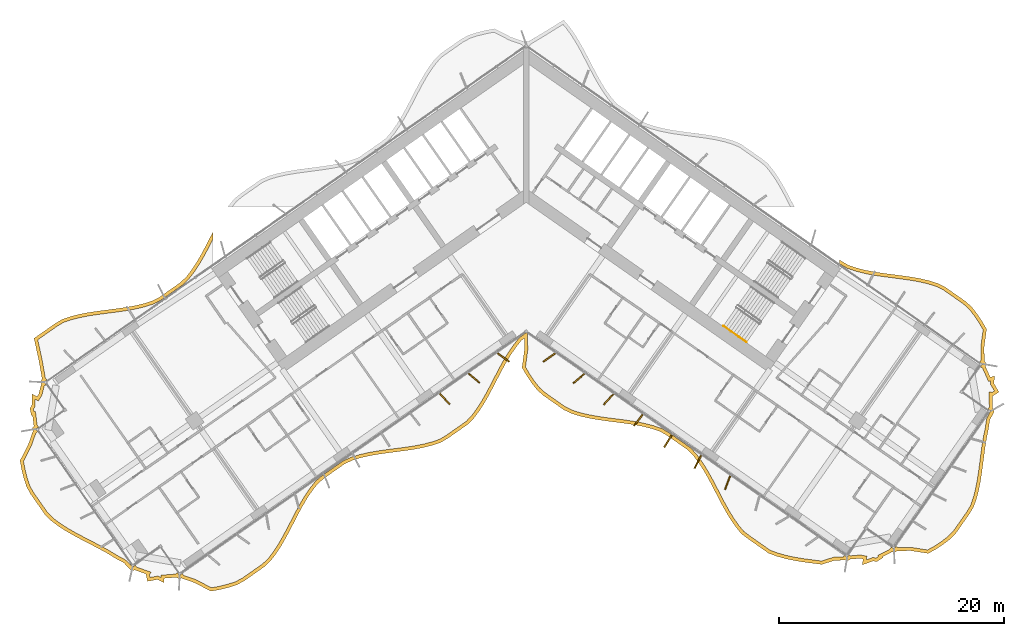
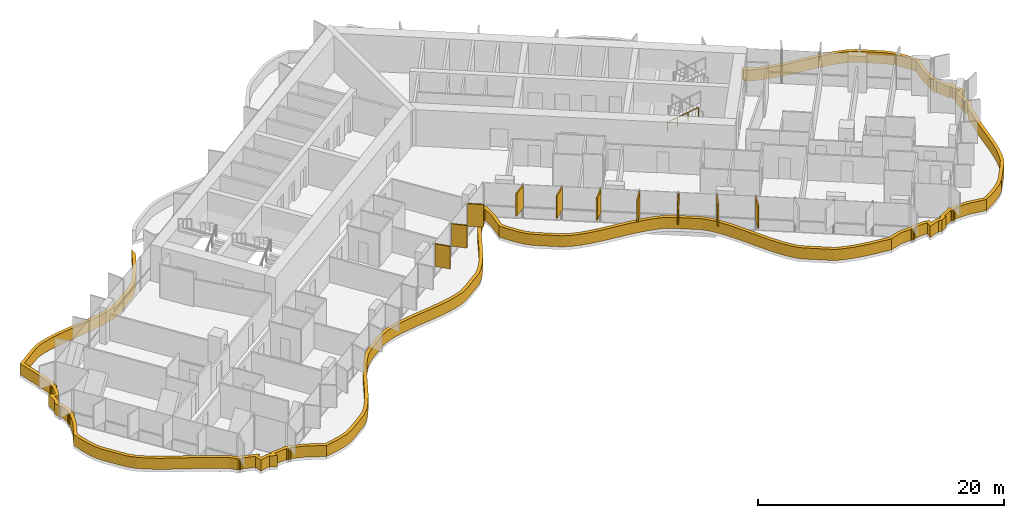
# One storey, part 20 of 23: 11 shading devices, 1 railing.
"""IFC4 building model written with IfcOpenShell, lengths in metres."""

from ifc_helpers import new_model, si_unit, direction, frame, origin, origin_2d, place, context, subcontext, project, spatial, polyline, rectangle, circle, outline, extrude, material, layer, layer_set, type_object, element, save


model = new_model("IFC4")

# Units and contexts
model_context = context("Model", 3, precision=1e-05, world=origin(), true_north=direction((0.0, 1.0)))
body_context = subcontext(model_context, "Body", "Model", "MODEL_VIEW")
ifc_project = project(units=[si_unit("LENGTHUNIT", "METRE"), si_unit("AREAUNIT", "SQUARE_METRE"), si_unit("VOLUMEUNIT", "CUBIC_METRE"), si_unit("PLANEANGLEUNIT", "RADIAN"), si_unit("MASSUNIT", "GRAM", prefix="KILO")], contexts=[model_context])

# Site, building, storey
site_placement = place(None, origin())
site = spatial("IfcSite", under=ifc_project, at=site_placement, CompositionType="ELEMENT")
building_placement = place(site_placement, origin())
building = spatial("IfcBuilding", under=site, at=building_placement, Name="Tel Ilan Convention Tower", CompositionType="ELEMENT")
storey_placement = place(building_placement, frame((0.0, 0.0, 94.10009765625)))
storey = spatial("IfcBuildingStorey", under=building, at=storey_placement, Name="L19", CompositionType="ELEMENT", Elevation=94.10009765625)

# Shading devices
ifc_material_1 = material(Name="Aluminium, bronze anodised", Category="aluminium")
ifc_layer_1 = layer(ifc_material_1, 0.1201171875)
ifc_layer_set_1 = layer_set([ifc_layer_1], Name="FIN BRONZE 1300x120")
shading_device_type_1 = type_object("IfcShadingDeviceType", Name="FIN BRONZE 1300x120", PredefinedType="USERDEFINED", material=ifc_layer_set_1)
for number, where, z_axis, x_axis, name in (
    (1, (-7.259033203125, -18.696044921875, 1.10009765625), (0.0, 0.0, 1.0), (0.686241637865, -0.727373641577, 0.0), "FIN"),
    (2, (-4.64208984375, -16.85595703125, 1.10009765625), (0.0, 0.0, 1.0), (0.753435896329, -0.657521368568, 0.0), "FIN"),
    (3, (-2.030029296875, -15.011474609375, 1.10009765625), (0.0, 0.0, 1.0), (0.813552070258, -0.581492071294, 0.0), "FIN"),
    (4, (2.05517578125, -15.029052734375, 1.10009765625), (0.0, 0.0, 1.0), (-0.813552070258, -0.581492071294, 0.0), "FIN"),
    (5, (4.6923828125, -16.89111328125, 1.10009765625), (0.0, 0.0, 1.0), (-0.753435896329, -0.657521368568, 0.0), "FIN"),
    (6, (7.33447265625, -18.748779296875, 1.10009765625), (0.0, 0.0, 1.0), (-0.686241637865, -0.727373641577, 0.0), "FIN"),
    (7, (9.980712890625, -20.602294921875, 1.10009765625), (0.0, 0.0, 1.0), (-0.612600545196, -0.790392669516, 0.0), "FIN"),
    (8, (12.62744140625, -22.455322265625, 1.10009765625), (0.0, 0.0, 1.0), (-0.533204432798, -0.845986425922, 0.0), "FIN"),
    (9, (15.27392578125, -24.30810546875, 1.10009765625), (0.0, 0.0, 1.0), (-0.448799180206, -0.893632640321, 0.0), "FIN"),
    (10, (17.92333984375, -26.155517578125, 1.10009765625), (0.0, 0.0, 1.0), (-0.360177724803, -0.932883704733, 0.0), "FIN"),
):
    element("IfcShadingDevice", number, at=place(storey_placement, frame(where, z_axis=z_axis, x_axis=x_axis)), inside=storey, type_object=shading_device_type_1, Name=name, ObjectType="FIN", PredefinedType="USERDEFINED", context=body_context, shape_type="SweptSolid", body=[
        extrude(rectangle(XDim=1.300048828125, YDim=0.1201171875, at=origin_2d()), origin(), (0.0, 0.0, 1.0), 2.219970703125),
    ])
ifc_material_2 = material(Name="Aluminium, bronze anodised", Category="aluminium")
ifc_layer_2 = layer(ifc_material_2, 0.300048828125)
ifc_layer_set_2 = layer_set([ifc_layer_2], Name="LOUVRE BAND 300x1100")
shading_device_type_2 = type_object("IfcShadingDeviceType", Name="LOUVRE BAND 300x1100", PredefinedType="USERDEFINED", material=ifc_layer_set_2)
shading_device_placement = place(storey_placement, origin())
element("IfcShadingDevice", 11, at=shading_device_placement, inside=storey, type_object=shading_device_type_2, Name="LOUVRE BAND 17.01", ObjectType="LOUVRE", PredefinedType="USERDEFINED", context=body_context, shape_type="SweptSolid", body=[
    extrude(outline(polyline([(-44.2939453125, -22.77490234375), (-45.028564453125, -24.204833984375), (-44.876953125, -25.01416015625), (-44.68408203125, -25.794677734375), (-44.4384765625, -26.538330078125), (-44.07080078125, -27.196533203125), (-42.7802734375, -29.03955078125), (-42.232421875, -29.571533203125), (-41.598876953125, -30.04345703125), (-40.91650390625, -30.481201171875), (-40.196533203125, -30.892822265625), (-39.45263671875, -31.287353515625), (-37.949462890625, -32.066162109375), (-37.219970703125, -32.470947265625), (-36.523681640625, -32.89892578125), (-35.783203125, -33.2958984375), (-35.26318359375, -33.847412109375), (-35.258544921875, -33.843994140625), (-35.2294921875, -33.887451171875), (-35.13232421875, -33.952392578125), (-35.017578125, -33.975341796875), (-34.902587890625, -33.952392578125), (-34.8486328125, -33.91650390625), (-33.810546875, -34.284912109375), (-33.821533203125, -34.302734375), (-33.688720703125, -34.9423828125), (-32.80029296875, -34.774658203125), (-32.20068359375, -35.082763671875), (-32.199462890625, -34.66796875), (-31.080322265625, -34.580810546875), (-31.051513671875, -34.624267578125), (-30.9541015625, -34.689208984375), (-30.83935546875, -34.7119140625), (-30.724365234375, -34.689208984375), (-30.67041015625, -34.653076171875), (-29.47802734375, -35.069091796875), (-28.049560546875, -35.822265625), (-27.250732421875, -35.676025390625), (-26.48095703125, -35.488525390625), (-25.74609375, -35.2509765625), (-25.0888671875, -34.90234375), (-23.27490234375, -33.63232421875), (-22.733642578125, -33.117919921875), (-22.262939453125, -32.50341796875), (-21.826416015625, -31.839599609375), (-21.4169921875, -31.13720703125), (-21.026123046875, -30.408935546875), (-20.2607421875, -28.927978515625), (-19.86669921875, -28.20361328125), (-19.45263671875, -27.5078125), (-19.010009765625, -26.85302734375), (-18.53173828125, -26.249267578125), (-17.96875, -25.76611328125), (-16.154541015625, -24.495849609375), (-15.474853515625, -24.1796875), (-14.732666015625, -23.952880859375), (-13.95654296875, -23.774169921875), (-13.154296875, -23.6328125), (-12.334716796875, -23.516357421875), (-10.681640625, -23.30322265625), (-9.86767578125, -23.178466796875), (-9.074951171875, -23.023681640625), (-8.3115234375, -22.8271484375), (-7.584228515625, -22.57861328125), (-6.9482421875, -22.2001953125), (-5.134033203125, -20.929931640625), (-4.616455078125, -20.38232421875), (-4.15283203125, -19.75732421875), (-3.722412109375, -19.0849609375), (-3.3173828125, -18.37646484375), (-2.9287109375, -17.644287109375), (-2.16259765625, -16.16455078125), (-1.765380859375, -15.44482421875), (-1.346435546875, -14.75634765625), (-0.897216796875, -14.110595703125), (-0.422119140625, -13.502197265625), (-0.16845703125, -13.315185546875), (-0.153564453125, -14.330078125), (-0.367919921875, -15.928955078125), (0.045166015625, -16.631591796875), (0.487060546875, -17.29296875), (0.964599609375, -17.90380859375), (1.52197265625, -18.400634765625), (3.343994140625, -19.676513671875), (4.02001953125, -20.003662109375), (4.763427734375, -20.234375), (5.54150390625, -20.416015625), (6.34619140625, -20.559326171875), (7.1689453125, -20.67724609375), (8.829345703125, -20.89111328125), (9.647216796875, -21.015625), (10.444091796875, -21.17041015625), (11.211669921875, -21.366943359375), (11.9423828125, -21.61572265625), (12.582275390625, -21.99462890625), (14.404541015625, -23.2705078125), (14.92333984375, -23.822021484375), (15.388427734375, -24.450439453125), (15.8203125, -25.12646484375), (16.2265625, -25.8388671875), (16.61669921875, -26.574462890625), (17.38623046875, -28.060546875), (17.785888671875, -28.782470703125), (18.2080078125, -29.47216796875), (18.660888671875, -30.1181640625), (19.1513671875, -30.71044921875), (19.742431640625, -31.158935546875), (21.564697265625, -32.4345703125), (22.281005859375, -32.7041015625), (23.03662109375, -32.917724609375), (23.824462890625, -33.08544921875), (24.635986328125, -33.218994140625), (26.29443359375, -33.435546875), (27.448974609375, -33.079345703125), (28.376953125, -33.047119140625), (28.430908203125, -33.083251953125), (28.545654296875, -33.10595703125), (28.660400390625, -33.083251953125), (28.7578125, -33.01806640625), (28.786865234375, -32.974853515625), (29.716796875, -32.8935546875), (29.97412109375, -32.9453125), (29.9072265625, -33.476806640625), (30.8779296875, -33.126708984375), (31.183837890625, -33.188232421875), (31.7392578125, -32.8447265625), (31.685546875, -32.75439453125), (32.554931640625, -32.310302734375), (32.609130859375, -32.346435546875), (32.723876953125, -32.369384765625), (32.838623046875, -32.346435546875), (32.93603515625, -32.281494140625), (32.96484375, -32.238037109375), (34.16845703125, -32.208740234375), (35.769775390625, -32.4580078125), (36.4619140625, -32.07080078125), (37.104736328125, -31.64892578125), (37.701904296875, -31.195068359375), (38.212890625, -30.680908203125), (39.44189453125, -28.925537109375), (39.810791015625, -28.311767578125), (40.0537109375, -27.60986328125), (40.247314453125, -26.87353515625), (40.40087890625, -26.109130859375), (40.52490234375, -25.323974609375), (40.841064453125, -22.929443359375), (40.969970703125, -22.147705078125), (41.12841796875, -21.386474609375), (41.24267578125, -20.594482421875), (41.568603515625, -19.963134765625), (41.568603515625, -19.950927734375), (41.604736328125, -19.896728515625), (41.62744140625, -19.781982421875), (41.604736328125, -19.667236328125), (41.53955078125, -19.56982421875), (41.496337890625, -19.541015625), (41.487548828125, -18.439453125), (41.508056640625, -18.443603515625), (42.063720703125, -18.10009765625), (41.602294921875, -17.322509765625), (41.686767578125, -16.65380859375), (41.29638671875, -16.79443359375), (40.831787109375, -15.772705078125), (40.867919921875, -15.71875), (40.890869140625, -15.603759765625), (40.867919921875, -15.489013671875), (40.802978515625, -15.3916015625), (40.759521484375, -15.36279296875), (40.743408203125, -14.096435546875), (40.96044921875, -12.496826171875), (40.548828125, -11.795654296875), (40.108154296875, -11.13525390625), (39.63232421875, -10.525390625), (39.078125, -10.02783203125), (37.260498046875, -8.755126953125), (36.5888671875, -8.4248046875), (35.84814453125, -8.193115234375), (35.072998046875, -8.0107421875), (34.27099609375, -7.86669921875), (33.450927734375, -7.748779296875), (31.79443359375, -7.535400390625), (30.97802734375, -7.412109375), (30.181884765625, -7.259521484375), (29.414794921875, -7.0654296875), (28.68408203125, -6.820068359375), (28.040283203125, -6.44970703125), (27.874755859375, -6.333740234375), (27.874755859375, -6.70068359375), (28.560302734375, -7.094970703125), (29.330322265625, -7.353515625), (30.116943359375, -7.552490234375), (30.92724609375, -7.707763671875), (31.752685546875, -7.83251953125), (33.41064453125, -8.0458984375), (34.22314453125, -8.162841796875), (35.01220703125, -8.3046875), (35.76904296875, -8.482666015625), (36.477294921875, -8.7041015625), (37.107421875, -9.01416015625), (38.89111328125, -10.26318359375), (39.412109375, -10.73095703125), (39.86474609375, -11.31103515625), (40.29443359375, -11.954833984375), (40.649169921875, -12.559326171875), (40.443115234375, -14.07861328125), (40.46142578125, -15.265625), (40.344970703125, -15.431640625), (40.5908203125, -15.603759765625), (40.41943359375, -15.85009765625), (40.596923828125, -15.974365234375), (41.13720703125, -17.1708984375), (41.327880859375, -17.10205078125), (41.291748046875, -17.38720703125), (41.6552734375, -17.999755859375), (41.451171875, -18.1259765625), (41.18359375, -18.072265625), (41.198486328125, -19.443115234375), (41.081787109375, -19.60986328125), (41.327392578125, -19.781982421875), (41.156005859375, -20.0283203125), (41.186279296875, -20.04931640625), (40.952880859375, -20.501708984375), (40.832763671875, -21.33447265625), (40.675048828125, -22.0927734375), (40.54443359375, -22.884521484375), (40.22802734375, -25.28076171875), (40.10546875, -26.05615234375), (39.955078125, -26.8056640625), (39.766357421875, -27.5224609375), (39.53759765625, -28.18408203125), (39.190185546875, -28.761962890625), (37.98193359375, -30.48779296875), (37.50390625, -30.96875), (36.931640625, -31.40380859375), (36.30615234375, -31.814208984375), (35.713623046875, -32.145751953125), (34.1875, -31.908203125), (33.060546875, -31.938720703125), (32.89599609375, -31.823486328125), (32.723876953125, -32.0693359375), (32.4775390625, -31.89794921875), (32.34912109375, -32.08154296875), (31.26416015625, -32.6318359375), (31.3310546875, -32.74462890625), (31.126708984375, -32.870849609375), (30.854736328125, -32.816162109375), (30.26611328125, -33.028564453125), (30.306884765625, -32.7060546875), (29.73291015625, -32.5908203125), (28.87353515625, -32.66943359375), (28.7177734375, -32.560302734375), (28.545654296875, -32.805908203125), (28.299560546875, -32.634521484375), (28.214111328125, -32.75634765625), (27.3994140625, -32.78076171875), (26.267822265625, -33.1298828125), (24.6806640625, -32.922119140625), (23.8798828125, -32.79052734375), (23.10888671875, -32.626220703125), (22.374755859375, -32.4189453125), (21.70556640625, -32.167236328125), (19.919189453125, -30.91650390625), (19.3603515625, -30.492431640625), (18.899658203125, -29.936279296875), (18.459228515625, -29.3076171875), (18.04541015625, -28.63134765625), (17.650634765625, -27.91845703125), (16.882568359375, -26.435791015625), (16.489501953125, -25.694091796875), (16.0771484375, -24.97119140625), (15.6357421875, -24.2802734375), (15.154052734375, -23.629150390625), (14.601806640625, -23.04248046875), (12.7451171875, -21.742431640625), (12.068603515625, -21.341796875), (11.29736328125, -21.0791015625), (10.510009765625, -20.87744140625), (9.698486328125, -20.719970703125), (8.871337890625, -20.593994140625), (7.209228515625, -20.3798828125), (6.393798828125, -20.26318359375), (5.60205078125, -20.1220703125), (4.84228515625, -19.94482421875), (4.13037109375, -19.723876953125), (3.496337890625, -19.4169921875), (1.70849609375, -18.1650390625), (1.184326171875, -17.697998046875), (0.73046875, -17.1171875), (0.299560546875, -16.471923828125), (-0.056884765625, -15.8662109375), (0.146728515625, -14.347900390625), (0.125732421875, -12.906005859375), (0.0, -12.818115234375), (-0.63330078125, -13.285400390625), (-1.138916015625, -13.9326171875), (-1.597900390625, -14.592529296875), (-2.025146484375, -15.294189453125), (-2.427001953125, -16.022705078125), (-3.19482421875, -17.50537109375), (-3.580078125, -18.231689453125), (-3.979248046875, -18.929443359375), (-4.39990234375, -19.5869140625), (-4.8466796875, -20.189208984375), (-5.3310546875, -20.70166015625), (-7.111083984375, -21.947998046875), (-7.7109375, -22.304931640625), (-8.3974609375, -22.53955078125), (-9.14111328125, -22.73095703125), (-9.919189453125, -22.8828125), (-10.723876953125, -23.006103515625), (-12.374755859375, -23.218994140625), (-13.201416015625, -23.33642578125), (-14.016357421875, -23.47998046875), (-14.810302734375, -23.662841796875), (-15.58251953125, -23.89892578125), (-16.30517578125, -24.235107421875), (-17.843017578125, -25.31201171875), (-18.15283203125, -25.52880859375), (-18.748779296875, -26.040283203125), (-19.252197265625, -26.675537109375), (-19.7060546875, -27.346923828125), (-20.12744140625, -28.05517578125), (-20.525634765625, -28.787109375), (-21.29150390625, -30.26904296875), (-21.678955078125, -30.99072265625), (-22.08154296875, -31.681640625), (-22.507568359375, -32.32958984375), (-22.95751953125, -32.916748046875), (-23.46533203125, -33.3994140625), (-25.245849609375, -34.64599609375), (-25.86328125, -34.9736328125), (-26.5625, -35.19970703125), (-27.313232421875, -35.38232421875), (-28.00146484375, -35.508544921875), (-29.3583984375, -34.79296875), (-30.477294921875, -34.406005859375), (-30.593017578125, -34.24072265625), (-30.83935546875, -34.412109375), (-31.011474609375, -34.166259765625), (-31.189697265625, -34.291015625), (-32.498779296875, -34.3896484375), (-32.499267578125, -34.59228515625), (-32.7548828125, -34.4609375), (-33.454833984375, -34.593017578125), (-33.503662109375, -34.35791015625), (-33.361572265625, -34.124755859375), (-34.655029296875, -33.669921875), (-34.771240234375, -33.50390625), (-35.017578125, -33.67529296875), (-35.189453125, -33.429443359375), (-35.222900390625, -33.452880859375), (-35.598388671875, -33.054443359375), (-36.374267578125, -32.638671875), (-37.068603515625, -32.211669921875), (-37.807373046875, -31.802001953125), (-39.313720703125, -31.021240234375), (-40.052001953125, -30.6298828125), (-40.760986328125, -30.224609375), (-41.42822265625, -29.796630859375), (-42.03759765625, -29.342529296875), (-42.551025390625, -28.84423828125), (-43.81640625, -27.036865234375), (-44.16259765625, -26.4169921875), (-44.3955078125, -25.71142578125), (-44.583740234375, -24.950439453125), (-44.71484375, -24.25048828125), (-44.017822265625, -22.8935546875), (-43.61572265625, -21.75048828125), (-43.44970703125, -21.63427734375), (-43.62109375, -21.387939453125), (-43.37548828125, -21.216064453125), (-43.50439453125, -21.03173828125), (-43.650390625, -19.823974609375), (-43.779296875, -19.84814453125), (-43.828125, -19.613037109375), (-43.683837890625, -19.376220703125), (-43.681884765625, -18.75048828125), (-43.392822265625, -18.89892578125), (-43.088134765625, -18.399169921875), (-42.8681640625, -17.564697265625), (-42.712890625, -17.4560546875), (-42.88427734375, -17.2099609375), (-42.638671875, -17.037841796875), (-42.772705078125, -16.846435546875), (-43.07080078125, -15.1611328125), (-43.445556640625, -13.4521484375), (-41.779296875, -12.285400390625), (-41.1748046875, -11.917724609375), (-40.481201171875, -11.678466796875), (-39.728515625, -11.483642578125), (-38.940185546875, -11.32958984375), (-38.125, -11.204833984375), (-36.4521484375, -10.9892578125), (-35.61474609375, -10.869140625), (-34.790283203125, -10.7216796875), (-33.988037109375, -10.532958984375), (-33.2060546875, -10.2880859375), (-32.48779296875, -9.93017578125), (-30.61474609375, -8.61865234375), (-30.02783203125, -8.073974609375), (-29.527587890625, -7.424560546875), (-29.074462890625, -6.73681640625), (-28.652587890625, -6.013916015625), (-28.2529296875, -5.268798828125), (-27.874755859375, -4.535400390625), (-27.874755859375, -3.883544921875), (-28.518310546875, -5.129150390625), (-28.91455078125, -5.8671875), (-29.329345703125, -6.57861328125), (-29.772216796875, -7.250244140625), (-30.250244140625, -7.87109375), (-30.8037109375, -8.384765625), (-32.6416015625, -9.671630859375), (-33.318603515625, -10.0087890625), (-34.067138671875, -10.243408203125), (-34.85107421875, -10.427734375), (-35.66259765625, -10.572998046875), (-36.4921875, -10.69189453125), (-38.167236328125, -10.90771484375), (-38.99169921875, -11.033935546875), (-39.794921875, -11.19091796875), (-40.56787109375, -11.390869140625), (-41.30322265625, -11.64453125), (-41.943359375, -12.0341796875), (-43.78125, -13.321044921875), (-43.364990234375, -15.219482421875), (-43.05322265625, -16.96875), (-43.096435546875, -16.997802734375), (-43.16162109375, -17.094970703125), (-43.184326171875, -17.2099609375), (-43.16162109375, -17.32470703125), (-43.12548828125, -17.378662109375), (-43.3671875, -18.2802734375), (-43.50390625, -18.504638671875), (-43.98046875, -18.259765625), (-43.9833984375, -19.291748046875), (-44.14599609375, -19.55810546875), (-44.01318359375, -20.197509765625), (-43.90966796875, -20.177978515625), (-43.7900390625, -21.14697265625), (-43.833251953125, -21.17578125), (-43.898193359375, -21.273193359375), (-43.921142578125, -21.387939453125), (-43.898193359375, -21.5029296875), (-43.8623046875, -21.556884765625), (-44.2939453125, -22.77490234375)])), origin(), (0.0, 0.0, 1.0), 1.099853515625),
])

# Railing
ifc_material_3 = material(Name="Stainless Steel Grade 316", Category="steel")
railing_type = type_object("IfcRailingType", Name="Stainless Steel Stair Handrail 900 mm", PredefinedType="HANDRAIL", material=ifc_material_3)
railing_placement = place(storey_placement, frame((17.542236328125, -12.22216796875, 1.97998046875)))
element("IfcRailing", 12, at=railing_placement, inside=storey, type_object=railing_type, Name="L19 S4 stair handrail 2", PredefinedType="HANDRAIL", context=body_context, shape_type="SweptSolid", body=[
    extrude(circle(Radius=0.02392578125, at=origin_2d()), frame((0.0, 0.0, 0.8759765625), z_axis=(0.68907047291, -0.482471578903, 0.540743061828), x_axis=(0.573559875649, 0.819163639968, 0.0)), (0.0, 0.0, 1.0), 2.99560546875),
    extrude(circle(Radius=0.02099609375, at=origin_2d()), origin(), (0.0, 0.0, 1.0), 0.851806640625),
    extrude(circle(Radius=0.02099609375, at=origin_2d()), frame((0.68798828125, -0.481689453125, 0.5400390625)), (0.0, 0.0, 1.0), 0.851806640625),
    extrude(circle(Radius=0.02099609375, at=origin_2d()), frame((1.376220703125, -0.963623046875, 1.079833984375)), (0.0, 0.0, 1.0), 0.851806640625),
    extrude(circle(Radius=0.02099609375, at=origin_2d()), frame((2.064208984375, -1.4453125, 1.619873046875)), (0.0, 0.0, 1.0), 0.851806640625),
])

save(model, "model.ifc")
